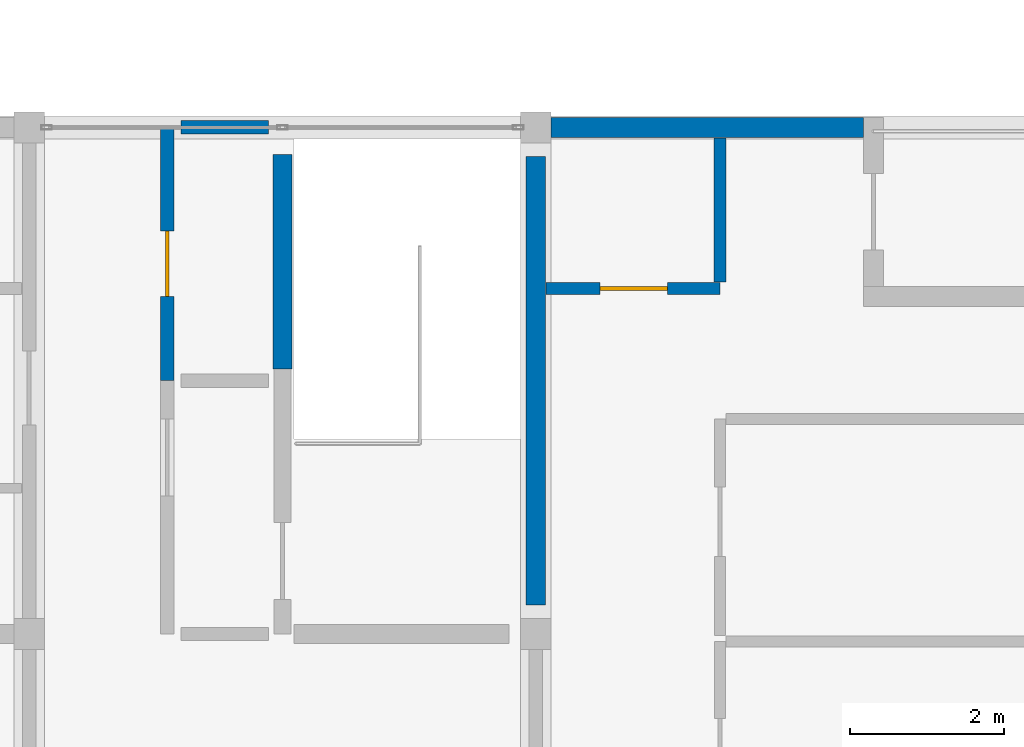
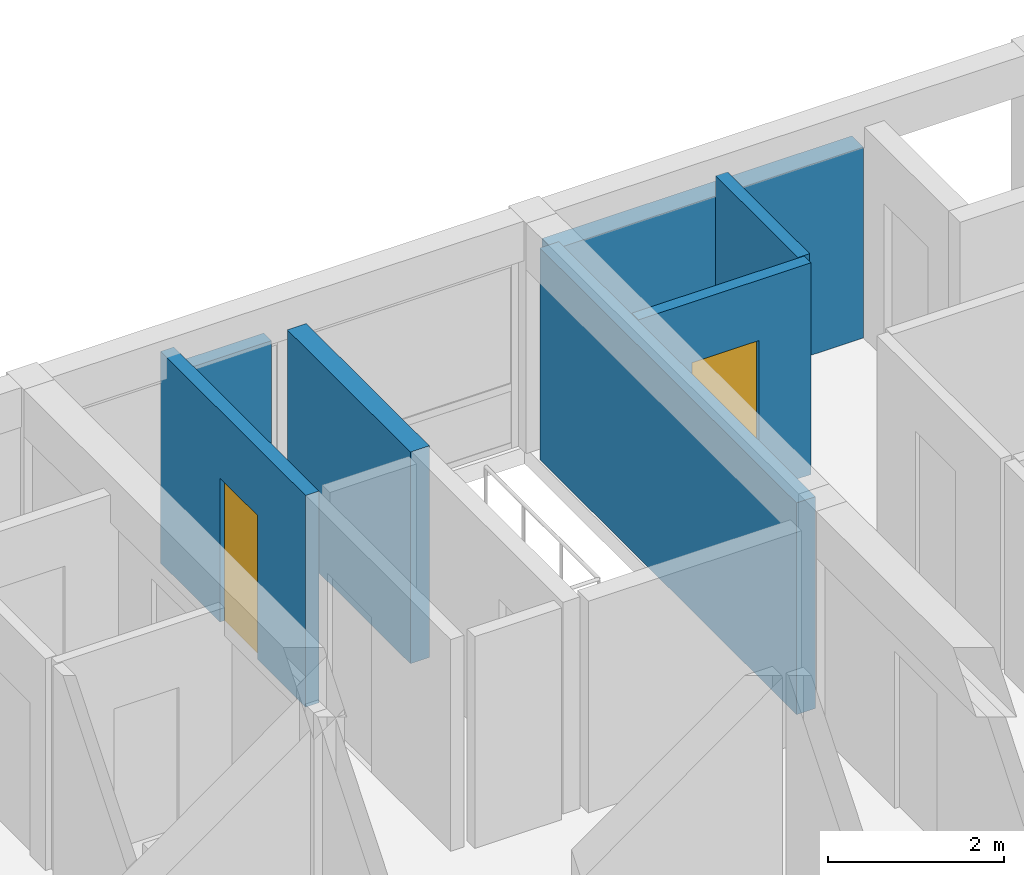
# One storey, part 20 of 34: 7 walls, 2 doors, 2 openings.
"""IFC4 building model written with IfcOpenShell, lengths in metres."""

from ifc_helpers import new_model, si_unit, direction, frame, frame_2d, origin, place, context, subcontext, project, spatial, rectangle, extrude, material, layer, layer_set, type_object, element, fill, save


model = new_model("IFC4")

# Units and contexts
model_context = context("Model", 3, precision=1e-05, world=origin(), true_north=direction((0.0, 1.0)))
body_context = subcontext(model_context, "Body", "Model", "MODEL_VIEW")
ifc_project = project(units=[si_unit("LENGTHUNIT", "METRE"), si_unit("AREAUNIT", "SQUARE_METRE"), si_unit("VOLUMEUNIT", "CUBIC_METRE"), si_unit("PLANEANGLEUNIT", "RADIAN"), si_unit("MASSUNIT", "GRAM", prefix="KILO")], contexts=[model_context])

# Site, building, storey
site_placement = place(None, origin())
site = spatial("IfcSite", under=ifc_project, at=site_placement, CompositionType="ELEMENT")
building_placement = place(site_placement, origin())
building = spatial("IfcBuilding", under=site, at=building_placement, Name="Kernevlak Ridge Housing Community", CompositionType="ELEMENT")
storey_placement = place(building_placement, frame((0.0, 0.0, 40.39990234375)))
storey = spatial("IfcBuildingStorey", under=building, at=storey_placement, Name="L12", CompositionType="ELEMENT", Elevation=40.39990234375)

# Wall
ifc_material_1 = material(Name="Concrete block masonry M10", Category="masonry")
ifc_layer_1 = layer(ifc_material_1, 0.260009765625, Name="Concrete block masonry M10")
ifc_layer_set_1 = layer_set([ifc_layer_1], Name="Concrete block masonry M10")
wall_type_1 = type_object("IfcWallType", Name="EW-05", PredefinedType="STANDARD", material=ifc_layer_set_1)
wall_1_placement = place(storey_placement, frame((139.39990234375, 35.39990234375, 0.0), z_axis=(0.0, 0.0, 1.0), x_axis=(1.0, 0.0, 0.0)))
element("IfcWall", 1, at=wall_1_placement, inside=storey, type_object=wall_type_1, Name="Exterior wall EW-05 L12 708", PredefinedType="STANDARD", context=body_context, shape_type="SweptSolid", body=[
    extrude(rectangle(XDim=4.070068359375, YDim=0.260009765625, at=frame_2d((2.03515625, 0.0))), origin(), (0.0, 0.0, 1.0), 2.650146484375),
])

# Wall, opening, door
ifc_layer_2 = layer(ifc_material_1, 0.175048828125, Name="Concrete block masonry M10")
ifc_layer_set_2 = layer_set([ifc_layer_2], Name="Concrete block masonry M10")
wall_type_2 = type_object("IfcWallType", Name="PW-02", PredefinedType="PARTITIONING", material=ifc_layer_set_2)
wall_2_placement = place(storey_placement, frame((134.39990234375, 32.10009765625, 0.0), z_axis=(0.0, 0.0, 1.0), x_axis=(0.0, 1.0, 0.0)))
wall_2 = element("IfcWall", 2, at=wall_2_placement, inside=storey, type_object=wall_type_2, Name="Interior wall PW-02 WAL-INT-L12-2855", PredefinedType="PARTITIONING", context=body_context, shape_type="SweptSolid", body=[
    extrude(rectangle(XDim=3.2998046875, YDim=0.175048828125, at=frame_2d((1.64990234375, 0.0))), origin(), (0.0, 0.0, 1.0), 2.940185546875),
])
opening_1_placement = place(wall_2_placement, frame((1.10009765625, 0.0, 0.0)))
opening_1 = element("IfcOpeningElement", 3, at=opening_1_placement, cuts=wall_2, Name="Opening E449", PredefinedType="OPENING", context=body_context, shape_type="SweptSolid", body=[
    extrude(rectangle(XDim=0.85009765625, YDim=2.0, at=frame_2d((0.425048828125, 1.0))), frame((0.0, 0.097412109375, 0.0), z_axis=(0.0, -1.0, 0.0), x_axis=(1.0, 0.0, 0.0)), (0.0, 0.0, 1.0), 0.195068359375),
])
ifc_material_2 = material(Name="Fire-rated sheet steel leaf", Category="steel")
door_type_1 = type_object("IfcDoorType", Name="DT-07", OperationType="NOTDEFINED", PredefinedType="DOOR", material=ifc_material_2)
door_1_placement = place(opening_1_placement, origin())
door_1 = element("IfcDoor", 4, at=door_1_placement, inside=storey, type_object=door_type_1, Name="Block C Cleaner store door E449", OperationType="SINGLE_SWING_RIGHT", OverallHeight=2.0, OverallWidth=0.85009765625, PredefinedType="DOOR", context=body_context, shape_type="SweptSolid", body=[
    extrude(rectangle(XDim=0.85009765625, YDim=2.0, at=frame_2d((0.425048828125, 1.0))), frame((0.0, 0.02490234375, 0.0), z_axis=(0.0, -1.0, 0.0), x_axis=(1.0, 0.0, 0.0)), (0.0, 0.0, 1.0), 0.050048828125),
])
fill(opening_1, door_1)

# Wall
wall_3_placement = place(storey_placement, frame((134.580078125, 35.39990234375, 0.0), z_axis=(0.0, 0.0, 1.0), x_axis=(1.0, 0.0, 0.0)))
element("IfcWall", 5, at=wall_3_placement, inside=storey, type_object=wall_type_2, Name="Interior wall PW-02 WAL-INT-L12-2858", PredefinedType="PARTITIONING", context=body_context, shape_type="SweptSolid", body=[
    extrude(rectangle(XDim=1.139892578125, YDim=0.175048828125, at=frame_2d((0.56982421875, 0.0))), origin(), (0.0, 0.0, 1.0), 2.650146484375),
])

# Wall, opening, door
ifc_material_3 = material(Name="Gypsum plasterboard EN 520", Category="gypsum")
ifc_layer_3 = layer(ifc_material_3, 0.155029296875, Name="Gypsum plasterboard EN 520")
ifc_layer_set_3 = layer_set([ifc_layer_3], Name="Gypsum plasterboard EN 520")
wall_type_3 = type_object("IfcWallType", Name="PW-05", PredefinedType="PARTITIONING", material=ifc_layer_set_3)
wall_4_placement = place(storey_placement, frame((139.3349609375, 33.300048828125, 0.0), z_axis=(0.0, 0.0, 1.0), x_axis=(1.0, 0.0, 0.0)))
wall_4 = element("IfcWall", 6, at=wall_4_placement, inside=storey, type_object=wall_type_3, Name="Interior wall PW-05 WAL-INT-L12-2888", PredefinedType="PARTITIONING", context=body_context, shape_type="SweptSolid", body=[
    extrude(rectangle(XDim=2.26513671875, YDim=0.155029296875, at=frame_2d((1.132568359375, 0.0))), origin(), (0.0, 0.0, 1.0), 2.940185546875),
])
opening_2_placement = place(wall_4_placement, frame((0.699951171875, 0.0, 0.0)))
opening_2 = element("IfcOpeningElement", 7, at=opening_2_placement, cuts=wall_4, Name="Opening E466", PredefinedType="OPENING", context=body_context, shape_type="SweptSolid", body=[
    extrude(rectangle(XDim=0.8798828125, YDim=2.10009765625, at=frame_2d((0.43994140625, 1.050048828125))), frame((0.0, 0.08740234375, 0.0), z_axis=(0.0, -1.0, 0.0), x_axis=(1.0, 0.0, 0.0)), (0.0, 0.0, 1.0), 0.175048828125),
])
ifc_material_4 = material(Name="Hardwood timber leaf", Category="wood")
door_type_2 = type_object("IfcDoorType", Name="DT-25", OperationType="NOTDEFINED", PredefinedType="DOOR", material=ifc_material_4)
door_2_placement = place(opening_2_placement, origin())
door_2 = element("IfcDoor", 8, at=door_2_placement, inside=storey, type_object=door_type_2, Name="Flat C1222 kitchen door E466", OperationType="SINGLE_SWING_LEFT", OverallHeight=2.10009765625, OverallWidth=0.8798828125, PredefinedType="DOOR", context=body_context, shape_type="SweptSolid", body=[
    extrude(rectangle(XDim=0.8798828125, YDim=2.10009765625, at=frame_2d((0.43994140625, 1.050048828125))), frame((0.0, 0.02490234375, 0.0), z_axis=(0.0, -1.0, 0.0), x_axis=(1.0, 0.0, 0.0)), (0.0, 0.0, 1.0), 0.050048828125),
])
fill(opening_2, door_2)

# Walls
wall_5_placement = place(storey_placement, frame((141.60009765625, 33.387451171875, 0.0), z_axis=(0.0, 0.0, 1.0), x_axis=(0.0, 1.0, 0.0)))
element("IfcWall", 9, at=wall_5_placement, inside=storey, type_object=wall_type_3, Name="Interior wall PW-05 WAL-INT-L12-2889", PredefinedType="PARTITIONING", context=body_context, shape_type="SweptSolid", body=[
    extrude(rectangle(XDim=1.87255859375, YDim=0.155029296875, at=frame_2d((0.936279296875, 0.0))), origin(), (0.0, 0.0, 1.0), 2.940185546875),
])
ifc_material_5 = material(Name="Concrete C40/50", Category="concrete")
ifc_layer_4 = layer(ifc_material_5, 0.25, Name="Concrete C40/50")
ifc_layer_set_4 = layer_set([ifc_layer_4], Name="Concrete C40/50")
wall_type_4 = type_object("IfcWallType", Name="SW-03", PredefinedType="SHEAR", material=ifc_layer_set_4)
wall_6_placement = place(storey_placement, frame((139.199951171875, 29.179931640625, 0.0), z_axis=(0.0, 0.0, 1.0), x_axis=(0.0, 1.0, 0.0)))
element("IfcWall", 10, at=wall_6_placement, inside=storey, type_object=wall_type_4, Name="Shear wall SW-03 Block C L12 492", PredefinedType="SHEAR", context=body_context, shape_type="SweptSolid", body=[
    extrude(rectangle(XDim=5.840087890625, YDim=0.25, at=frame_2d((2.919921875, 0.0))), origin(), (0.0, 0.0, 1.0), 2.940185546875),
])
wall_7_placement = place(storey_placement, frame((135.89990234375, 32.25, 0.0), z_axis=(0.0, 0.0, 1.0), x_axis=(0.0, 1.0, 0.0)))
element("IfcWall", 11, at=wall_7_placement, inside=storey, type_object=wall_type_4, Name="Shear wall SW-03 Block C L12 493", PredefinedType="SHEAR", context=body_context, shape_type="SweptSolid", body=[
    extrude(rectangle(XDim=2.800048828125, YDim=0.25, at=frame_2d((1.39990234375, 0.0))), origin(), (0.0, 0.0, 1.0), 2.940185546875),
])

save(model, "model.ifc")
